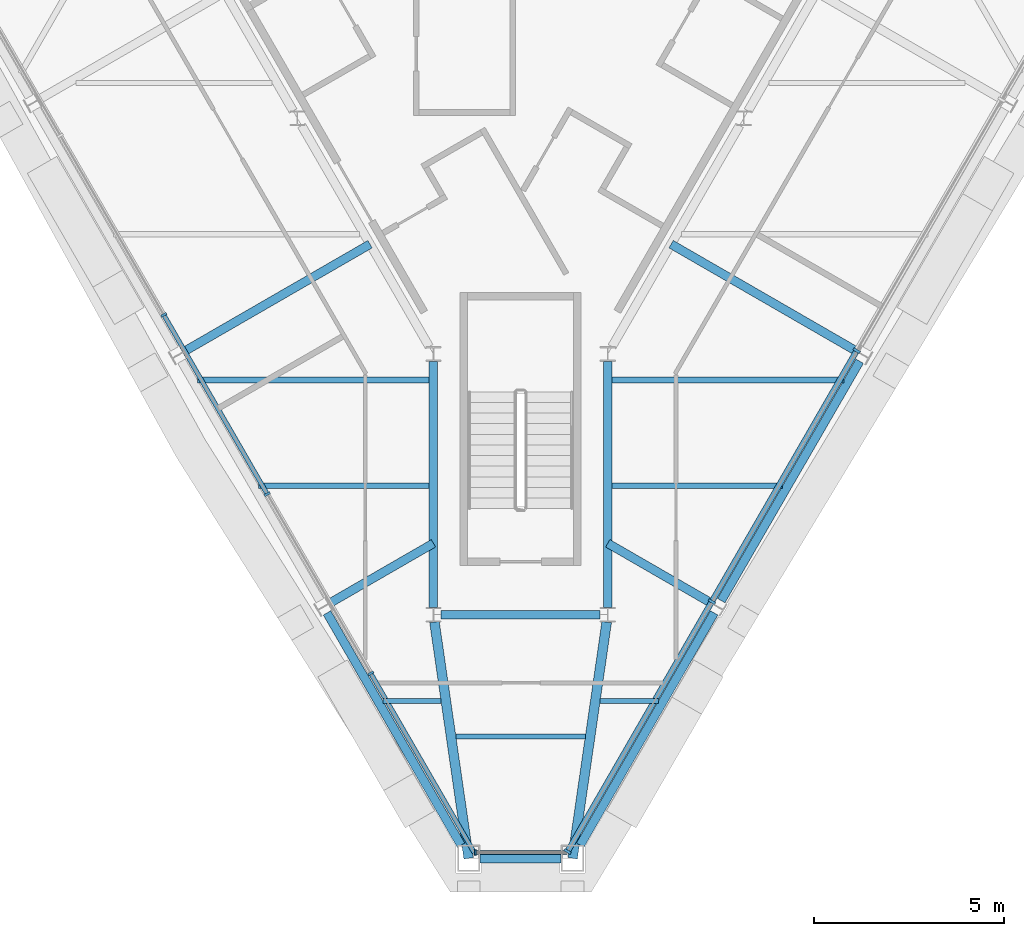
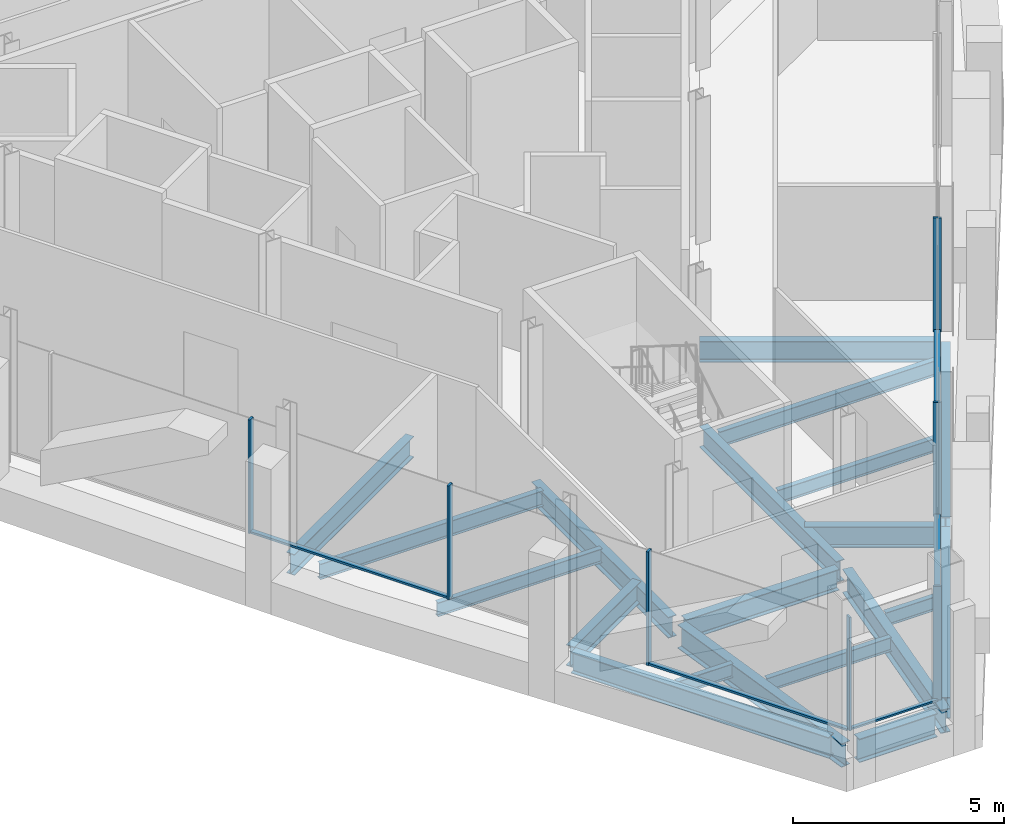
# One storey, part 3 of 13: 20 beams, 12 members, 3 elements without a shape of their own.
"""IFC4 building model written with IfcOpenShell, lengths in metres."""

from ifc_helpers import new_model, si_unit, direction, frame, origin, origin_2d, place, context, subcontext, project, spatial, rectangle, i_section, extrude, material, material_profile, profile_set, type_object, element, aggregate, save


model = new_model("IFC4")

# Units and contexts
model_context = context("Model", 3, precision=1e-05, world=origin(), true_north=direction((0.0, 1.0)))
body_context = subcontext(model_context, "Body", "Model", "MODEL_VIEW")
ifc_project = project(units=[si_unit("LENGTHUNIT", "METRE"), si_unit("AREAUNIT", "SQUARE_METRE"), si_unit("VOLUMEUNIT", "CUBIC_METRE"), si_unit("PLANEANGLEUNIT", "RADIAN"), si_unit("MASSUNIT", "GRAM", prefix="KILO")], contexts=[model_context])

# Site, building, storey
site_placement = place(None, origin())
site = spatial("IfcSite", under=ifc_project, at=site_placement, CompositionType="ELEMENT")
building_placement = place(site_placement, origin())
building = spatial("IfcBuilding", under=site, at=building_placement, Name="Verrane Prism Tower", CompositionType="ELEMENT")
storey_placement = place(building_placement, frame((0.0, 0.0, 312.60009765625)))
storey = spatial("IfcBuildingStorey", under=building, at=storey_placement, Name="L79", CompositionType="ELEMENT", Elevation=312.60009765625)

# Beams
ifc_material_1 = material(Name="Steel A992", Category="steel")
ifc_material_profile_1 = material_profile(ifc_material_1, i_section(OverallWidth=0.25390625, OverallDepth=0.683349609375, WebThickness=0.012451171875, FlangeThickness=0.01904296875, FilletRadius=0.01513671875, at=origin_2d()), Name="W27x94")
ifc_profile_set_1 = profile_set([ifc_material_profile_1], Name="Steel A992")
beam_type_1 = type_object("IfcBeamType", Name="Chamfer spandrel beam W27x94", PredefinedType="SPANDREL", material=ifc_profile_set_1)
beam_1_placement = place(storey_placement, frame((-1.070068359375, -22.929931640625, -0.501708984375), z_axis=(1.0, 0.0, 0.0), x_axis=(0.0, 1.0, 0.0)))
element("IfcBeam", 1, at=beam_1_placement, inside=storey, type_object=beam_type_1, Name="Chamfer spandrel beam L79", PredefinedType="SPANDREL", context=body_context, shape_type="SweptSolid", body=[
    extrude(i_section(OverallWidth=0.25390625, OverallDepth=0.683349609375, WebThickness=0.012451171875, FlangeThickness=0.01904296875, FilletRadius=0.01513671875, at=origin_2d()), origin(), (0.0, 0.0, 1.0), 2.14013671875),
])
ifc_material_2 = material(Name="Steel A992", Category="steel")
ifc_material_profile_2 = material_profile(ifc_material_2, i_section(OverallWidth=0.228271484375, OverallDepth=0.607177734375, WebThickness=0.01123046875, FlangeThickness=0.017333984375, FilletRadius=0.0126953125, at=origin_2d()), Name="W24x76")
ifc_profile_set_2 = profile_set([ifc_material_profile_2], Name="Steel A992")
beam_type_2 = type_object("IfcBeamType", Name="Core ring girder W24x76", PredefinedType="BEAM", material=ifc_profile_set_2)
beam_2_placement = place(storey_placement, frame((-2.300048828125, -9.81298828125, -0.5537109375), z_axis=(0.0, -1.0, 0.0), x_axis=(1.0, 0.0, 0.0)))
element("IfcBeam", 2, at=beam_2_placement, inside=storey, type_object=beam_type_2, Name="Core ring girder L79", PredefinedType="BEAM", context=body_context, shape_type="SweptSolid", body=[
    extrude(i_section(OverallWidth=0.228271484375, OverallDepth=0.607177734375, WebThickness=0.01123046875, FlangeThickness=0.017333984375, FilletRadius=0.0126953125, at=origin_2d()), origin(), (0.0, 0.0, 1.0), 6.493896484375),
])
beam_3_placement = place(storey_placement, frame((-2.1005859375, -16.5, -0.5537109375), z_axis=(1.0, 0.0, 0.0), x_axis=(0.0, 1.0, 0.0)))
element("IfcBeam", 3, at=beam_3_placement, inside=storey, type_object=beam_type_2, Name="Core ring girder L79", PredefinedType="BEAM", context=body_context, shape_type="SweptSolid", body=[
    extrude(i_section(OverallWidth=0.228271484375, OverallDepth=0.607177734375, WebThickness=0.01123046875, FlangeThickness=0.017333984375, FilletRadius=0.0126953125, at=origin_2d()), origin(), (0.0, 0.0, 1.0), 4.201171875),
])
beam_4_placement = place(storey_placement, frame((2.300048828125, -16.306884765625, -0.5537109375), z_axis=(0.0, 1.0, 0.0), x_axis=(-1.0, 0.0, 0.0)))
element("IfcBeam", 4, at=beam_4_placement, inside=storey, type_object=beam_type_2, Name="Core ring girder L79", PredefinedType="BEAM", context=body_context, shape_type="SweptSolid", body=[
    extrude(i_section(OverallWidth=0.228271484375, OverallDepth=0.607177734375, WebThickness=0.01123046875, FlangeThickness=0.017333984375, FilletRadius=0.0126953125, at=origin_2d()), origin(), (0.0, 0.0, 1.0), 6.493896484375),
])
ifc_material_3 = material(Name="Steel A992", Category="steel")
ifc_material_profile_3 = material_profile(ifc_material_3, i_section(OverallWidth=0.25390625, OverallDepth=0.683349609375, WebThickness=0.012451171875, FlangeThickness=0.01904296875, FilletRadius=0.01513671875, at=origin_2d()), Name="W27x94")
ifc_profile_set_3 = profile_set([ifc_material_profile_3], Name="Steel A992")
beam_type_3 = type_object("IfcBeamType", Name="Corner girder W27x94", PredefinedType="BEAM", material=ifc_profile_set_3)
beam_5_placement = place(storey_placement, frame((-1.37060546875, -22.926513671875, -0.561767578125), z_axis=(-0.143152302146, 0.989700671107, 0.0), x_axis=(-0.989700671107, -0.143152302146, 0.0)))
element("IfcBeam", 5, at=beam_5_placement, inside=storey, type_object=beam_type_3, Name="Corner girder L79", PredefinedType="BEAM", context=body_context, shape_type="SweptSolid", body=[
    extrude(i_section(OverallWidth=0.25390625, OverallDepth=0.683349609375, WebThickness=0.012451171875, FlangeThickness=0.01904296875, FilletRadius=0.01513671875, at=origin_2d()), origin(), (0.0, 0.0, 1.0), 6.29833984375),
])
beam_6_placement = place(storey_placement, frame((1.37060546875, -22.92626953125, -0.561767578125), z_axis=(0.143157794237, 0.989699876705, 0.0), x_axis=(-0.989699876705, 0.143157794237, 0.0)))
element("IfcBeam", 6, at=beam_6_placement, inside=storey, type_object=beam_type_3, Name="Corner girder L79", PredefinedType="BEAM", context=body_context, shape_type="SweptSolid", body=[
    extrude(i_section(OverallWidth=0.25390625, OverallDepth=0.683349609375, WebThickness=0.012451171875, FlangeThickness=0.01904296875, FilletRadius=0.01513671875, at=origin_2d()), origin(), (0.0, 0.0, 1.0), 6.298095703125),
])
ifc_material_4 = material(Name="Steel A992", Category="steel")
ifc_material_profile_4 = material_profile(ifc_material_4, i_section(OverallWidth=0.140380859375, OverallDepth=0.40380859375, WebThickness=0.007080078125, FlangeThickness=0.01123046875, FilletRadius=0.01025390625, at=origin_2d()), Name="W16x31")
ifc_profile_set_4 = profile_set([ifc_material_profile_4], Name="Steel A992")
beam_type_4 = type_object("IfcBeamType", Name="Floor beam W16x31", PredefinedType="BEAM", material=ifc_profile_set_4)
beam_7_placement = place(storey_placement, frame((-6.9130859375, -13.10009765625, -0.362060546875), z_axis=(1.0, 0.0, 0.0), x_axis=(0.0, 1.0, 0.0)))
element("IfcBeam", 7, at=beam_7_placement, inside=storey, type_object=beam_type_4, Name="Floor beam L79", PredefinedType="BEAM", context=body_context, shape_type="SweptSolid", body=[
    extrude(i_section(OverallWidth=0.140380859375, OverallDepth=0.40380859375, WebThickness=0.007080078125, FlangeThickness=0.01123046875, FilletRadius=0.01025390625, at=origin_2d()), origin(), (0.0, 0.0, 1.0), 4.4990234375),
])
for number, where, z_axis, x_axis, name in (
    (8, (-3.635009765625, -18.77490234375, -0.362060546875), (1.0, 0.0, 0.0), (0.0, 1.0, 0.0), "Floor beam L79"),
    (9, (2.099365234375, -18.77490234375, -0.362060546875), (1.0, 0.0, 0.0), (0.0, 1.0, 0.0), "Floor beam L79"),
):
    element("IfcBeam", number, at=place(storey_placement, frame(where, z_axis=z_axis, x_axis=x_axis)), inside=storey, type_object=beam_type_4, Name=name, PredefinedType="BEAM", context=body_context, shape_type="SweptSolid", body=[
        extrude(i_section(OverallWidth=0.140380859375, OverallDepth=0.40380859375, WebThickness=0.007080078125, FlangeThickness=0.01123046875, FilletRadius=0.01025390625, at=origin_2d()), origin(), (0.0, 0.0, 1.0), 1.53564453125),
    ])
beam_8_placement = place(storey_placement, frame((2.4140625, -13.10009765625, -0.362060546875), z_axis=(1.0, 0.0, 0.0), x_axis=(0.0, 1.0, 0.0)))
element("IfcBeam", 10, at=beam_8_placement, inside=storey, type_object=beam_type_4, Name="Floor beam L79", PredefinedType="BEAM", context=body_context, shape_type="SweptSolid", body=[
    extrude(i_section(OverallWidth=0.140380859375, OverallDepth=0.40380859375, WebThickness=0.007080078125, FlangeThickness=0.01123046875, FilletRadius=0.01025390625, at=origin_2d()), origin(), (0.0, 0.0, 1.0), 4.4990234375),
])
beam_9_placement = place(storey_placement, frame((-1.706787109375, -19.715087890625, -0.362060546875), z_axis=(1.0, 0.0, 0.0), x_axis=(0.0, 1.0, 0.0)))
element("IfcBeam", 11, at=beam_9_placement, inside=storey, type_object=beam_type_4, Name="Floor beam L79", PredefinedType="BEAM", context=body_context, shape_type="SweptSolid", body=[
    extrude(i_section(OverallWidth=0.140380859375, OverallDepth=0.40380859375, WebThickness=0.007080078125, FlangeThickness=0.01123046875, FilletRadius=0.01025390625, at=origin_2d()), origin(), (0.0, 0.0, 1.0), 3.41357421875),
])
ifc_material_5 = material(Name="Steel A992", Category="steel")
ifc_material_profile_5 = material_profile(ifc_material_5, i_section(OverallWidth=0.15234375, OverallDepth=0.449462890625, WebThickness=0.007568359375, FlangeThickness=0.0107421875, FilletRadius=0.01025390625, at=origin_2d()), Name="W18x35")
ifc_profile_set_5 = profile_set([ifc_material_profile_5], Name="Steel A992")
beam_type_5 = type_object("IfcBeamType", Name="Floor beam W18x35", PredefinedType="BEAM", material=ifc_profile_set_5)
for number, where, z_axis, x_axis, name in (
    (12, (-8.526611328125, -10.31005859375, -0.385009765625), (1.0, 0.0, 0.0), (0.0, 1.0, 0.0), "Floor beam L79"),
    (13, (2.4140625, -10.31005859375, -0.385009765625), (1.0, 0.0, 0.0), (0.0, 1.0, 0.0), "Floor beam L79"),
):
    element("IfcBeam", number, at=place(storey_placement, frame(where, z_axis=z_axis, x_axis=x_axis)), inside=storey, type_object=beam_type_5, Name=name, PredefinedType="BEAM", context=body_context, shape_type="SweptSolid", body=[
        extrude(i_section(OverallWidth=0.15234375, OverallDepth=0.449462890625, WebThickness=0.007568359375, FlangeThickness=0.0107421875, FilletRadius=0.01025390625, at=origin_2d()), origin(), (0.0, 0.0, 1.0), 6.112548828125),
    ])

# Curtain wall, member
ifc_material_6 = material(Name="Aluminium framed insulated glazing", Category="aluminium")
curtain_wall_type_1 = type_object("IfcCurtainWallType", Name="Curtain wall CW-C 4200 module", PredefinedType="NOTDEFINED", material=ifc_material_6)
curtain_wall_1_placement = place(storey_placement, origin())
curtain_wall_1 = element("IfcCurtainWall", 14, at=curtain_wall_1_placement, inside=storey, type_object=curtain_wall_type_1, Name="Glazed curtain wall south corner L79", PredefinedType="NOTDEFINED")
ifc_material_7 = material(Name="Aluminium alloy 6063-T6", Category="aluminium")
ifc_material_profile_6 = material_profile(ifc_material_7, rectangle(XDim=0.139892578125, YDim=0.050048828125, at=origin_2d()), Name="Mullion 50x140 aluminium")
ifc_profile_set_6 = profile_set([ifc_material_profile_6], Name="Aluminium alloy 6063-T6")
member_type_1 = type_object("IfcMemberType", Name="Mullion 50x140 aluminium", PredefinedType="MULLION", material=ifc_profile_set_6)
member_1_placement = place(storey_placement, frame((-1.197509765625, -22.77685546875, 0.0), z_axis=(0.0, 0.0, 1.0), x_axis=(0.0, 1.0, 0.0)))
member_1 = element("IfcMember", 15, at=member_1_placement, type_object=member_type_1, Name="CW79.5 mullion 1", PredefinedType="MULLION", context=body_context, shape_type="SweptSolid", body=[
    extrude(rectangle(XDim=0.139892578125, YDim=0.050048828125, at=origin_2d()), origin(), (0.0, 0.0, 1.0), 3.296630859375),
])

# Curtain wall, members
ifc_material_8 = material(Name="Aluminium framed insulated glazing", Category="aluminium")
curtain_wall_type_2 = type_object("IfcCurtainWallType", Name="Curtain wall CW-B 5600 module", PredefinedType="NOTDEFINED", material=ifc_material_8)
curtain_wall_2_placement = place(storey_placement, origin())
curtain_wall_2 = element("IfcCurtainWall", 16, at=curtain_wall_2_placement, inside=storey, type_object=curtain_wall_type_2, Name="Glazed curtain wall south-west face L79", PredefinedType="NOTDEFINED")
ifc_material_9 = material(Name="Aluminium alloy 6063-T6", Category="aluminium")
ifc_material_profile_7 = material_profile(ifc_material_9, rectangle(XDim=0.159912109375, YDim=0.06005859375, at=origin_2d()), Name="Mullion 60x160 aluminium")
ifc_profile_set_7 = profile_set([ifc_material_profile_7], Name="Aluminium alloy 6063-T6")
member_type_2 = type_object("IfcMemberType", Name="Mullion 60x160 aluminium", PredefinedType="MULLION", material=ifc_profile_set_7)
member_2_placement = place(storey_placement, frame((-9.414306640625, -8.58837890625, 0.0), z_axis=(0.0, 0.0, 1.0), x_axis=(0.866025278644, 0.500000216749, 0.0)))
member_2 = element("IfcMember", 17, at=member_2_placement, type_object=member_type_2, Name="CW79.4 mullion 5", PredefinedType="MULLION", context=body_context, shape_type="SweptSolid", body=[
    extrude(rectangle(XDim=0.159912109375, YDim=0.06005859375, at=origin_2d()), origin(), (0.0, 0.0, 1.0), 3.296630859375),
])
member_3_placement = place(storey_placement, frame((-6.683837890625, -13.31787109375, 0.0), z_axis=(0.0, 0.0, 1.0), x_axis=(0.866025278644, 0.500000216749, 0.0)))
member_3 = element("IfcMember", 18, at=member_3_placement, type_object=member_type_2, Name="CW79.4 mullion 6", PredefinedType="MULLION", context=body_context, shape_type="SweptSolid", body=[
    extrude(rectangle(XDim=0.159912109375, YDim=0.06005859375, at=origin_2d()), origin(), (0.0, 0.0, 1.0), 3.296630859375),
])
member_4_placement = place(storey_placement, frame((-3.953125, -18.04736328125, 0.0), z_axis=(0.0, 0.0, 1.0), x_axis=(0.866025278644, 0.500000216749, 0.0)))
member_4 = element("IfcMember", 19, at=member_4_placement, type_object=member_type_2, Name="CW79.4 mullion 7", PredefinedType="MULLION", context=body_context, shape_type="SweptSolid", body=[
    extrude(rectangle(XDim=0.159912109375, YDim=0.06005859375, at=origin_2d()), origin(), (0.0, 0.0, 1.0), 3.296630859375),
])

ifc_material_10 = material(Name="Aluminium framed insulated glazing", Category="aluminium")
curtain_wall_type_3 = type_object("IfcCurtainWallType", Name="Curtain wall CW-A 8400 module", PredefinedType="NOTDEFINED", material=ifc_material_10)
curtain_wall_3_placement = place(storey_placement, origin())
curtain_wall_3 = element("IfcCurtainWall", 20, at=curtain_wall_3_placement, inside=storey, type_object=curtain_wall_type_3, Name="Glazed curtain wall south-east face L79", PredefinedType="NOTDEFINED")
ifc_material_11 = material(Name="Aluminium alloy 6063-T6", Category="aluminium")
ifc_material_profile_8 = material_profile(ifc_material_11, rectangle(XDim=0.199951171875, YDim=0.070068359375, at=origin_2d()), Name="Mullion 70x200 aluminium")
ifc_profile_set_8 = profile_set([ifc_material_profile_8], Name="Aluminium alloy 6063-T6")
member_type_3 = type_object("IfcMemberType", Name="Mullion 70x200 aluminium", PredefinedType="MULLION", material=ifc_profile_set_8)
member_5_placement = place(storey_placement, frame((1.239990234375, -22.74658203125, 0.0), z_axis=(0.0, 0.0, 1.0), x_axis=(-0.866025278644, 0.500000216749, 0.0)))
member_5 = element("IfcMember", 21, at=member_5_placement, type_object=member_type_3, Name="CW79.6 mullion 1", PredefinedType="MULLION", context=body_context, shape_type="SweptSolid", body=[
    extrude(rectangle(XDim=0.199951171875, YDim=0.070068359375, at=origin_2d()), origin(), (0.0, 0.0, 1.0), 3.296630859375),
])
member_6_placement = place(storey_placement, frame((5.04541015625, -16.155517578125, 0.0), z_axis=(0.0, 0.0, 1.0), x_axis=(-0.866025278644, 0.500000216749, 0.0)))
member_6 = element("IfcMember", 22, at=member_6_placement, type_object=member_type_3, Name="CW79.6 mullion 2", PredefinedType="MULLION", context=body_context, shape_type="SweptSolid", body=[
    extrude(rectangle(XDim=0.199951171875, YDim=0.070068359375, at=origin_2d()), origin(), (0.0, 0.0, 1.0), 3.296630859375),
])
member_7_placement = place(storey_placement, frame((8.8681640625, -9.5341796875, 0.0), z_axis=(0.0, 0.0, 1.0), x_axis=(-0.866025278644, 0.500000216749, 0.0)))
member_7 = element("IfcMember", 23, at=member_7_placement, type_object=member_type_3, Name="CW79.6 mullion 3", PredefinedType="MULLION", context=body_context, shape_type="SweptSolid", body=[
    extrude(rectangle(XDim=0.199951171875, YDim=0.070068359375, at=origin_2d()), origin(), (0.0, 0.0, 1.0), 3.296630859375),
])

# Beams
ifc_material_12 = material(Name="Steel A992", Category="steel")
ifc_material_profile_9 = material_profile(ifc_material_12, i_section(OverallWidth=0.228271484375, OverallDepth=0.607177734375, WebThickness=0.01123046875, FlangeThickness=0.017333984375, FilletRadius=0.0126953125, at=origin_2d()), Name="W24x76")
ifc_profile_set_9 = profile_set([ifc_material_profile_9], Name="Steel A992")
beam_type_6 = type_object("IfcBeamType", Name="Radial girder W24x76", PredefinedType="BEAM", material=ifc_profile_set_9)
beam_10_placement = place(storey_placement, frame((-8.880615234375, -9.557861328125, -0.523681640625), z_axis=(0.866039985572, 0.499974742752, 0.0), x_axis=(-0.499974742752, 0.866039985572, 0.0)))
element("IfcBeam", 24, at=beam_10_placement, inside=storey, type_object=beam_type_6, Name="Radial girder L79", PredefinedType="BEAM", context=body_context, shape_type="SweptSolid", body=[
    extrude(i_section(OverallWidth=0.228271484375, OverallDepth=0.607177734375, WebThickness=0.01123046875, FlangeThickness=0.017333984375, FilletRadius=0.0126953125, at=origin_2d()), origin(), (0.0, 0.0, 1.0), 5.668212890625),
])
for number, where, z_axis, x_axis, name in (
    (25, (-5.04052734375, -16.197998046875, -0.523681640625), (0.866017278078, 0.500014073873, 0.0), (-0.500014073873, 0.866017278078, 0.0), "Radial girder L79"),
    (26, (5.04052734375, -16.197998046875, -0.523681640625), (-0.866017278078, 0.500014073873, 0.0), (-0.500014073873, -0.866017278078, 0.0), "Radial girder L79"),
):
    element("IfcBeam", number, at=place(storey_placement, frame(where, z_axis=z_axis, x_axis=x_axis)), inside=storey, type_object=beam_type_6, Name=name, PredefinedType="BEAM", context=body_context, shape_type="SweptSolid", body=[
        extrude(i_section(OverallWidth=0.228271484375, OverallDepth=0.607177734375, WebThickness=0.01123046875, FlangeThickness=0.017333984375, FilletRadius=0.0126953125, at=origin_2d()), origin(), (0.0, 0.0, 1.0), 3.16455078125),
    ])
beam_11_placement = place(storey_placement, frame((8.880615234375, -9.557861328125, -0.523681640625), z_axis=(-0.866039985572, 0.499974742752, 0.0), x_axis=(-0.499974742752, -0.866039985572, 0.0)))
element("IfcBeam", 27, at=beam_11_placement, inside=storey, type_object=beam_type_6, Name="Radial girder L79", PredefinedType="BEAM", context=body_context, shape_type="SweptSolid", body=[
    extrude(i_section(OverallWidth=0.228271484375, OverallDepth=0.607177734375, WebThickness=0.01123046875, FlangeThickness=0.017333984375, FilletRadius=0.0126953125, at=origin_2d()), origin(), (0.0, 0.0, 1.0), 5.668212890625),
])
ifc_material_13 = material(Name="Steel A992", Category="steel")
ifc_material_profile_10 = material_profile(ifc_material_13, i_section(OverallWidth=0.228271484375, OverallDepth=0.607177734375, WebThickness=0.01123046875, FlangeThickness=0.017333984375, FilletRadius=0.0126953125, at=origin_2d()), Name="W24x76")
ifc_profile_set_10 = profile_set([ifc_material_profile_10], Name="Steel A992")
beam_type_7 = type_object("IfcBeamType", Name="Spandrel beam W24x76", PredefinedType="SPANDREL", material=ifc_profile_set_10)
for number, where, z_axis, x_axis, name in (
    (28, (-5.106689453125, -16.45166015625, -0.463623046875), (0.49962087648, -0.866244180232, 0.0), (0.866244180232, 0.49962087648, 0.0), "Spandrel beam L79"),
    (29, (1.572021484375, -22.580078125, -0.463623046875), (0.49962087648, 0.866244180232, 0.0), (-0.866244180232, 0.49962087648, 0.0), "Spandrel beam L79"),
):
    element("IfcBeam", number, at=place(storey_placement, frame(where, z_axis=z_axis, x_axis=x_axis)), inside=storey, type_object=beam_type_7, Name=name, PredefinedType="SPANDREL", context=body_context, shape_type="SweptSolid", body=[
        extrude(i_section(OverallWidth=0.228271484375, OverallDepth=0.607177734375, WebThickness=0.01123046875, FlangeThickness=0.017333984375, FilletRadius=0.0126953125, at=origin_2d()), origin(), (0.0, 0.0, 1.0), 7.07470703125),
    ])
beam_12_placement = place(storey_placement, frame((5.29345703125, -16.12841796875, -0.463623046875), z_axis=(0.50061813753, 0.865668227658, 0.0), x_axis=(-0.865668227658, 0.50061813753, 0.0)))
element("IfcBeam", 30, at=beam_12_placement, inside=storey, type_object=beam_type_7, Name="Spandrel beam L79", PredefinedType="SPANDREL", context=body_context, shape_type="SweptSolid", body=[
    extrude(i_section(OverallWidth=0.228271484375, OverallDepth=0.607177734375, WebThickness=0.01123046875, FlangeThickness=0.017333984375, FilletRadius=0.0126953125, at=origin_2d()), origin(), (0.0, 0.0, 1.0), 7.297119140625),
])

# Member
ifc_material_14 = material(Name="Aluminium alloy 6063-T6", Category="aluminium")
ifc_material_profile_11 = material_profile(ifc_material_14, rectangle(XDim=0.10009765625, YDim=0.050048828125, at=origin_2d()), Name="Transom 50x100 aluminium")
ifc_profile_set_11 = profile_set([ifc_material_profile_11], Name="Aluminium alloy 6063-T6")
member_type_4 = type_object("IfcMemberType", Name="Transom 50x100 aluminium", PredefinedType="USERDEFINED", material=ifc_profile_set_11)
member_8_placement = place(storey_placement, frame((-1.172607421875, -22.77685546875, 0.02490234375), z_axis=(1.0, 0.0, 0.0), x_axis=(0.0, 1.0, 0.0)))
member_8 = element("IfcMember", 31, at=member_8_placement, type_object=member_type_4, Name="CW79.5 transom 1", ObjectType="TRANSOM", PredefinedType="USERDEFINED", context=body_context, shape_type="SweptSolid", body=[
    extrude(rectangle(XDim=0.10009765625, YDim=0.050048828125, at=origin_2d()), origin(), (0.0, 0.0, 1.0), 2.395263671875),
])

aggregate(curtain_wall_1, [member_1, member_8])

ifc_material_15 = material(Name="Aluminium alloy 6063-T6", Category="aluminium")
ifc_material_profile_12 = material_profile(ifc_material_15, rectangle(XDim=0.1201171875, YDim=0.06005859375, at=origin_2d()), Name="Transom 60x120 aluminium")
ifc_profile_set_12 = profile_set([ifc_material_profile_12], Name="Aluminium alloy 6063-T6")
member_type_5 = type_object("IfcMemberType", Name="Transom 60x120 aluminium", PredefinedType="USERDEFINED", material=ifc_profile_set_12)
member_9_placement = place(storey_placement, frame((-9.3994140625, -8.6142578125, 0.02978515625), z_axis=(0.500018516412, -0.866014713065, 0.0), x_axis=(0.866014713065, 0.500018516412, 0.0)))
member_9 = element("IfcMember", 32, at=member_9_placement, type_object=member_type_5, Name="CW79.4 transom 5", ObjectType="TRANSOM", PredefinedType="USERDEFINED", context=body_context, shape_type="SweptSolid", body=[
    extrude(rectangle(XDim=0.1201171875, YDim=0.06005859375, at=origin_2d()), origin(), (0.0, 0.0, 1.0), 5.401123046875),
])

member_10_placement = place(storey_placement, frame((-3.938232421875, -18.0732421875, 0.02978515625), z_axis=(0.499992236248, -0.866029886142, 0.0), x_axis=(0.866029886142, 0.499992236248, 0.0)))
member_10 = element("IfcMember", 33, at=member_10_placement, type_object=member_type_5, Name="CW79.4 transom 7", ObjectType="TRANSOM", PredefinedType="USERDEFINED", context=body_context, shape_type="SweptSolid", body=[
    extrude(rectangle(XDim=0.1201171875, YDim=0.06005859375, at=origin_2d()), origin(), (0.0, 0.0, 1.0), 5.43115234375),
])

aggregate(curtain_wall_2, [member_2, member_3, member_4, member_9, member_10])

ifc_material_16 = material(Name="Aluminium alloy 6063-T6", Category="aluminium")
ifc_material_profile_13 = material_profile(ifc_material_16, rectangle(XDim=0.14990234375, YDim=0.070068359375, at=origin_2d()), Name="Transom 70x150 aluminium")
ifc_profile_set_13 = profile_set([ifc_material_profile_13], Name="Aluminium alloy 6063-T6")
member_type_6 = type_object("IfcMemberType", Name="Transom 70x150 aluminium", PredefinedType="USERDEFINED", material=ifc_profile_set_13)
member_11_placement = place(storey_placement, frame((1.257568359375, -22.716064453125, 0.034912109375), z_axis=(0.500000849894, 0.866024913097, 0.0), x_axis=(-0.866024913097, 0.500000849894, 0.0)))
member_11 = element("IfcMember", 34, at=member_11_placement, type_object=member_type_6, Name="CW79.6 transom 1", ObjectType="TRANSOM", PredefinedType="USERDEFINED", context=body_context, shape_type="SweptSolid", body=[
    extrude(rectangle(XDim=0.14990234375, YDim=0.070068359375, at=origin_2d()), origin(), (0.0, 0.0, 1.0), 7.54052734375),
])

member_12_placement = place(storey_placement, frame((5.06298828125, -16.125244140625, 0.034912109375), z_axis=(0.499972595749, 0.866041225058, 0.0), x_axis=(-0.866041225058, 0.499972595749, 0.0)))
member_12 = element("IfcMember", 35, at=member_12_placement, type_object=member_type_6, Name="CW79.6 transom 2", ObjectType="TRANSOM", PredefinedType="USERDEFINED", context=body_context, shape_type="SweptSolid", body=[
    extrude(rectangle(XDim=0.14990234375, YDim=0.070068359375, at=origin_2d()), origin(), (0.0, 0.0, 1.0), 7.57568359375),
])

aggregate(curtain_wall_3, [member_5, member_6, member_7, member_11, member_12])

save(model, "model.ifc")
